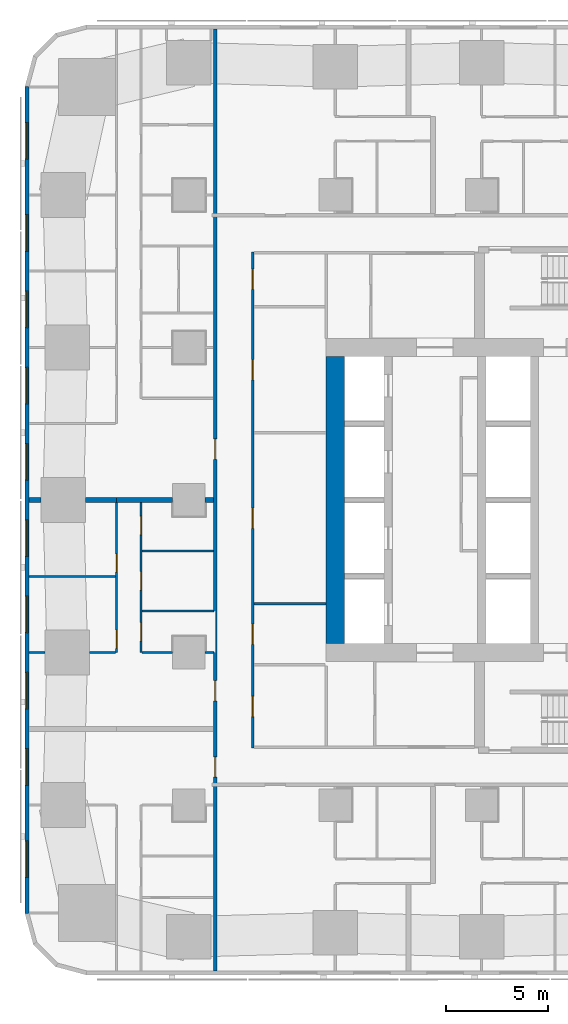
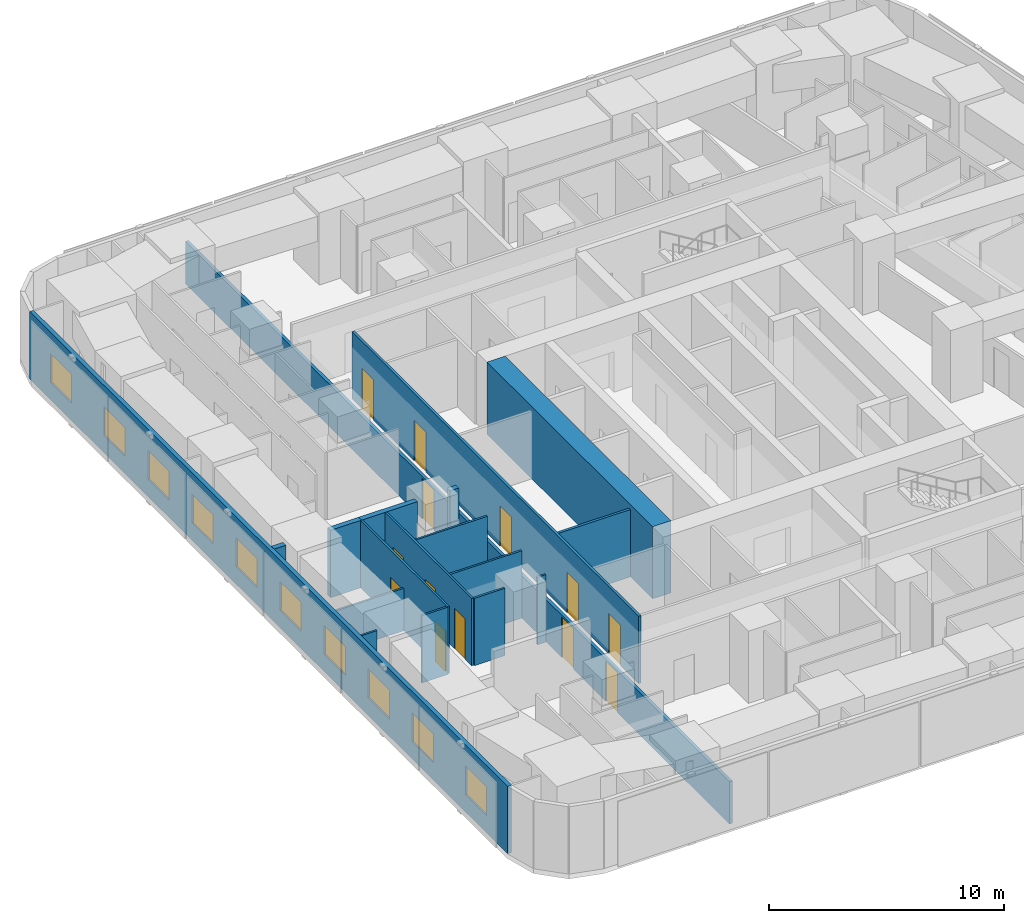
# One storey, part 5 of 17: 18 walls, 13 doors, 10 windows, 23 openings.
"""IFC4 building model written with IfcOpenShell, lengths in metres."""

from ifc_helpers import new_model, si_unit, direction, frame, frame_2d, origin, place, context, subcontext, project, spatial, rectangle, extrude, material, layer, layer_set, type_object, element, fill, save


model = new_model("IFC4")

# Units and contexts
model_context = context("Model", 3, precision=1e-05, world=origin(), true_north=direction((0.0, 1.0)))
body_context = subcontext(model_context, "Body", "Model", "MODEL_VIEW")
ifc_project = project(units=[si_unit("LENGTHUNIT", "METRE"), si_unit("AREAUNIT", "SQUARE_METRE"), si_unit("VOLUMEUNIT", "CUBIC_METRE"), si_unit("PLANEANGLEUNIT", "RADIAN"), si_unit("MASSUNIT", "GRAM", prefix="KILO")], contexts=[model_context])

# Site, building, storey
site_placement = place(None, origin())
site = spatial("IfcSite", under=ifc_project, at=site_placement, CompositionType="ELEMENT")
building_placement = place(site_placement, origin())
building = spatial("IfcBuilding", under=site, at=building_placement, Name="Sheger Commons Tower", CompositionType="ELEMENT")
storey_placement = place(building_placement, frame((0.0, 0.0, 111.64990234375)))
storey = spatial("IfcBuildingStorey", under=building, at=storey_placement, Name="L28", CompositionType="ELEMENT", Elevation=111.64990234375)

# Wall
ifc_material_1 = material(Name="Concrete C50/60", Category="concrete")
ifc_layer_1 = layer(ifc_material_1, 0.89990234375)
ifc_layer_set_1 = layer_set([ifc_layer_1], Name="CORE WALL 900")
wall_type_1 = type_object("IfcWallType", Name="CORE WALL 900", PredefinedType="SHEAR", material=ifc_layer_set_1)
wall_1_placement = place(storey_placement, frame((14.39990234375, 15.449951171875, 0.0), z_axis=(0.0, 0.0, 1.0), x_axis=(0.0, 1.0, 0.0)))
element("IfcWall", 1, at=wall_1_placement, inside=storey, type_object=wall_type_1, Name="Core wall west L28", PredefinedType="SHEAR", context=body_context, shape_type="SweptSolid", body=[
    extrude(rectangle(XDim=14.10009765625, YDim=0.89990234375, at=frame_2d((7.050048828125, 0.0))), origin(), (0.0, 0.0, 1.0), 3.75),
])

# Wall, openings, doors
ifc_material_2 = material(Name="Hollow concrete block masonry, skimmed both sides", Category="masonry")
ifc_layer_2 = layer(ifc_material_2, 0.14990234375)
ifc_layer_set_2 = layer_set([ifc_layer_2], Name="CORRIDOR WALL 150")
wall_type_2 = type_object("IfcWallType", Name="CORRIDOR WALL 150", PredefinedType="SOLIDWALL", material=ifc_layer_set_2)
wall_2_placement = place(storey_placement, frame((8.5, -0.64990234375, 0.0), z_axis=(0.0, 0.0, 1.0), x_axis=(0.0, 1.0, 0.0)))
wall_2 = element("IfcWall", 2, at=wall_2_placement, inside=storey, type_object=wall_type_2, Name="Corridor wall L28", PredefinedType="SOLIDWALL", context=body_context, shape_type="SweptSolid", body=[
    extrude(rectangle(XDim=46.2998046875, YDim=0.14990234375, at=frame_2d((23.14990234375, 0.0))), origin(), (0.0, 0.0, 1.0), 2.2001953125),
])
opening_1_placement = place(wall_2_placement, frame((9.52490234375, 0.0, 0.0)))
opening_1 = element("IfcOpeningElement", 3, at=opening_1_placement, cuts=wall_2, Name="Opening D1", PredefinedType="OPENING", context=body_context, shape_type="SweptSolid", body=[
    extrude(rectangle(XDim=1.0, YDim=2.10009765625, at=frame_2d((0.5, 1.050048828125))), frame((0.0, 0.0849609375, 0.0), z_axis=(0.0, -1.0, 0.0), x_axis=(1.0, 0.0, 0.0)), (0.0, 0.0, 1.0), 0.169921875),
])
opening_2_placement = place(wall_2_placement, frame((13.27490234375, 0.0, 0.0)))
opening_2 = element("IfcOpeningElement", 4, at=opening_2_placement, cuts=wall_2, Name="Opening D1", PredefinedType="OPENING", context=body_context, shape_type="SweptSolid", body=[
    extrude(rectangle(XDim=1.0, YDim=2.10009765625, at=frame_2d((0.5, 1.050048828125))), frame((0.0, 0.0849609375, 0.0), z_axis=(0.0, -1.0, 0.0), x_axis=(1.0, 0.0, 0.0)), (0.0, 0.0, 1.0), 0.169921875),
])
opening_3_placement = place(wall_2_placement, frame((25.14990234375, 0.0, 0.0)))
opening_3 = element("IfcOpeningElement", 5, at=opening_3_placement, cuts=wall_2, Name="Opening D1", PredefinedType="OPENING", context=body_context, shape_type="SweptSolid", body=[
    extrude(rectangle(XDim=1.0, YDim=2.10009765625, at=frame_2d((0.5, 1.050048828125))), frame((0.0, 0.0849609375, 0.0), z_axis=(0.0, -1.0, 0.0), x_axis=(1.0, 0.0, 0.0)), (0.0, 0.0, 1.0), 0.169921875),
])
ifc_material_3 = material(Name="Steel door set, fire rated", Category="steel")
door_type_1 = type_object("IfcDoorType", Name="FLAT ENTRANCE DOOR 1000x2100", OperationType="NOTDEFINED", PredefinedType="DOOR", material=ifc_material_3)
door_1_placement = place(opening_1_placement, origin())
door_1 = element("IfcDoor", 6, at=door_1_placement, inside=storey, type_object=door_type_1, Name="Flat entrance door", OperationType="SINGLE_SWING_LEFT", OverallHeight=2.10009765625, OverallWidth=1.0, PredefinedType="DOOR", context=body_context, shape_type="SweptSolid", body=[
    extrude(rectangle(XDim=1.0, YDim=2.10009765625, at=frame_2d((0.5, 1.050048828125))), frame((0.0, 0.02490234375, 0.0), z_axis=(0.0, -1.0, 0.0), x_axis=(1.0, 0.0, 0.0)), (0.0, 0.0, 1.0), 0.050048828125),
])
fill(opening_1, door_1)
door_2_placement = place(opening_2_placement, origin())
door_2 = element("IfcDoor", 7, at=door_2_placement, inside=storey, type_object=door_type_1, Name="Flat entrance door", OperationType="SINGLE_SWING_RIGHT", OverallHeight=2.10009765625, OverallWidth=1.0, PredefinedType="DOOR", context=body_context, shape_type="SweptSolid", body=[
    extrude(rectangle(XDim=1.0, YDim=2.10009765625, at=frame_2d((0.5, 1.050048828125))), frame((0.0, 0.02490234375, 0.0), z_axis=(0.0, -1.0, 0.0), x_axis=(1.0, 0.0, 0.0)), (0.0, 0.0, 1.0), 0.050048828125),
])
fill(opening_2, door_2)
door_3_placement = place(opening_3_placement, origin())
door_3 = element("IfcDoor", 8, at=door_3_placement, inside=storey, type_object=door_type_1, Name="Flat entrance door", OperationType="SINGLE_SWING_LEFT", OverallHeight=2.10009765625, OverallWidth=1.0, PredefinedType="DOOR", context=body_context, shape_type="SweptSolid", body=[
    extrude(rectangle(XDim=1.0, YDim=2.10009765625, at=frame_2d((0.5, 1.050048828125))), frame((0.0, 0.02490234375, 0.0), z_axis=(0.0, -1.0, 0.0), x_axis=(1.0, 0.0, 0.0)), (0.0, 0.0, 1.0), 0.050048828125),
])
fill(opening_3, door_3)

# Walls
ifc_material_4 = material(Name="Dense concrete block masonry, plastered both sides (separating wall between flats)", Category="masonry")
ifc_layer_3 = layer(ifc_material_4, 0.25)
ifc_layer_set_3 = layer_set([ifc_layer_3], Name="DEMISING WALL 250")
wall_type_3 = type_object("IfcWallType", Name="DEMISING WALL 250", PredefinedType="SOLIDWALL", material=ifc_layer_set_3)
wall_3_placement = place(storey_placement, frame((-0.64990234375, 22.5, 0.0), z_axis=(0.0, 0.0, 1.0), x_axis=(1.0, 0.0, 0.0)))
element("IfcWall", 9, at=wall_3_placement, inside=storey, type_object=wall_type_3, Name="Demising wall L28", PredefinedType="SOLIDWALL", context=body_context, shape_type="SweptSolid", body=[
    extrude(rectangle(XDim=0.573974609375, YDim=0.25, at=frame_2d((0.287109375, 0.0))), origin(), (0.0, 0.0, 1.0), 3.5),
])
wall_4_placement = place(storey_placement, frame((2.1259765625, 22.5, 0.0), z_axis=(0.0, 0.0, 1.0), x_axis=(1.0, 0.0, 0.0)))
element("IfcWall", 10, at=wall_4_placement, inside=storey, type_object=wall_type_3, Name="Demising wall L28", PredefinedType="SOLIDWALL", context=body_context, shape_type="SweptSolid", body=[
    extrude(rectangle(XDim=1.52392578125, YDim=0.25, at=frame_2d((0.761962890625, 0.0))), origin(), (0.0, 0.0, 1.0), 3.5),
])
wall_5_placement = place(storey_placement, frame((3.64990234375, 22.5, 0.0), z_axis=(0.0, 0.0, 1.0), x_axis=(1.0, 0.0, 0.0)))
element("IfcWall", 11, at=wall_5_placement, inside=storey, type_object=wall_type_3, Name="Demising wall L28", PredefinedType="SOLIDWALL", context=body_context, shape_type="SweptSolid", body=[
    extrude(rectangle(XDim=2.7490234375, YDim=0.25, at=frame_2d((1.37451171875, 0.0))), origin(), (0.0, 0.0, 1.0), 3.5),
])
wall_6_placement = place(storey_placement, frame((8.0009765625, 22.5, 0.0), z_axis=(0.0, 0.0, 1.0), x_axis=(1.0, 0.0, 0.0)))
element("IfcWall", 12, at=wall_6_placement, inside=storey, type_object=wall_type_3, Name="Demising wall L28", PredefinedType="SOLIDWALL", context=body_context, shape_type="SweptSolid", body=[
    extrude(rectangle(XDim=0.424072265625, YDim=0.25, at=frame_2d((0.2119140625, 0.0))), origin(), (0.0, 0.0, 1.0), 3.5),
])

# Wall, openings, windows
ifc_material_5 = material(Name="Rendered concrete block masonry, dark grey", Category="masonry")
ifc_layer_4 = layer(ifc_material_5, 0.199951171875)
ifc_layer_set_4 = layer_set([ifc_layer_4], Name="FACADE WALL 200")
wall_type_4 = type_object("IfcWallType", Name="FACADE WALL 200", PredefinedType="SOLIDWALL", material=ifc_layer_set_4)
wall_7_placement = place(storey_placement, frame((-0.75, 42.8369140625, 0.0), z_axis=(0.0, 0.0, 1.0), x_axis=(0.0, -1.0, 0.0)))
wall_7 = element("IfcWall", 13, at=wall_7_placement, inside=storey, type_object=wall_type_4, Name="Facade wall L28", PredefinedType="SOLIDWALL", context=body_context, shape_type="SweptSolid", body=[
    extrude(rectangle(XDim=40.673828125, YDim=0.199951171875, at=frame_2d((20.3369140625, 0.0))), origin(), (0.0, 0.0, 1.0), 3.5),
])
opening_4_placement = place(wall_7_placement, frame((1.780029296875, 0.0, 0.89990234375)))
opening_4 = element("IfcOpeningElement", 14, at=opening_4_placement, cuts=wall_7, Name="Opening W2", PredefinedType="OPENING", context=body_context, shape_type="SweptSolid", body=[
    extrude(rectangle(XDim=1.800048828125, YDim=1.5, at=frame_2d((0.89990234375, 0.75))), frame((0.0, 0.10986328125, 0.0), z_axis=(0.0, -1.0, 0.0), x_axis=(1.0, 0.0, 0.0)), (0.0, 0.0, 1.0), 0.219970703125),
])
opening_5_placement = place(wall_7_placement, frame((6.31201171875, 0.0, 0.89990234375)))
opening_5 = element("IfcOpeningElement", 15, at=opening_5_placement, cuts=wall_7, Name="Opening W2", PredefinedType="OPENING", context=body_context, shape_type="SweptSolid", body=[
    extrude(rectangle(XDim=1.800048828125, YDim=1.5, at=frame_2d((0.89990234375, 0.75))), frame((0.0, 0.10986328125, 0.0), z_axis=(0.0, -1.0, 0.0), x_axis=(1.0, 0.0, 0.0)), (0.0, 0.0, 1.0), 0.219970703125),
])
opening_6_placement = place(wall_7_placement, frame((10.06201171875, 0.0, 0.89990234375)))
opening_6 = element("IfcOpeningElement", 16, at=opening_6_placement, cuts=wall_7, Name="Opening W2", PredefinedType="OPENING", context=body_context, shape_type="SweptSolid", body=[
    extrude(rectangle(XDim=1.800048828125, YDim=1.5, at=frame_2d((0.89990234375, 0.75))), frame((0.0, 0.10986328125, 0.0), z_axis=(0.0, -1.0, 0.0), x_axis=(1.0, 0.0, 0.0)), (0.0, 0.0, 1.0), 0.219970703125),
])
opening_7_placement = place(wall_7_placement, frame((13.81201171875, 0.0, 0.89990234375)))
opening_7 = element("IfcOpeningElement", 17, at=opening_7_placement, cuts=wall_7, Name="Opening W2", PredefinedType="OPENING", context=body_context, shape_type="SweptSolid", body=[
    extrude(rectangle(XDim=1.800048828125, YDim=1.5, at=frame_2d((0.89990234375, 0.75))), frame((0.0, 0.10986328125, 0.0), z_axis=(0.0, -1.0, 0.0), x_axis=(1.0, 0.0, 0.0)), (0.0, 0.0, 1.0), 0.219970703125),
])
opening_8_placement = place(wall_7_placement, frame((17.56201171875, 0.0, 0.89990234375)))
opening_8 = element("IfcOpeningElement", 18, at=opening_8_placement, cuts=wall_7, Name="Opening W2", PredefinedType="OPENING", context=body_context, shape_type="SweptSolid", body=[
    extrude(rectangle(XDim=1.800048828125, YDim=1.5, at=frame_2d((0.89990234375, 0.75))), frame((0.0, 0.10986328125, 0.0), z_axis=(0.0, -1.0, 0.0), x_axis=(1.0, 0.0, 0.0)), (0.0, 0.0, 1.0), 0.219970703125),
])
opening_9_placement = place(wall_7_placement, frame((21.31201171875, 0.0, 0.89990234375)))
opening_9 = element("IfcOpeningElement", 19, at=opening_9_placement, cuts=wall_7, Name="Opening W2", PredefinedType="OPENING", context=body_context, shape_type="SweptSolid", body=[
    extrude(rectangle(XDim=1.800048828125, YDim=1.5, at=frame_2d((0.89990234375, 0.75))), frame((0.0, 0.10986328125, 0.0), z_axis=(0.0, -1.0, 0.0), x_axis=(1.0, 0.0, 0.0)), (0.0, 0.0, 1.0), 0.219970703125),
])
opening_10_placement = place(wall_7_placement, frame((25.06201171875, 0.0, 0.89990234375)))
opening_10 = element("IfcOpeningElement", 20, at=opening_10_placement, cuts=wall_7, Name="Opening W2", PredefinedType="OPENING", context=body_context, shape_type="SweptSolid", body=[
    extrude(rectangle(XDim=1.800048828125, YDim=1.5, at=frame_2d((0.89990234375, 0.75))), frame((0.0, 0.10986328125, 0.0), z_axis=(0.0, -1.0, 0.0), x_axis=(1.0, 0.0, 0.0)), (0.0, 0.0, 1.0), 0.219970703125),
])
opening_11_placement = place(wall_7_placement, frame((28.81201171875, 0.0, 0.89990234375)))
opening_11 = element("IfcOpeningElement", 21, at=opening_11_placement, cuts=wall_7, Name="Opening W2", PredefinedType="OPENING", context=body_context, shape_type="SweptSolid", body=[
    extrude(rectangle(XDim=1.800048828125, YDim=1.5, at=frame_2d((0.89990234375, 0.75))), frame((0.0, 0.10986328125, 0.0), z_axis=(0.0, -1.0, 0.0), x_axis=(1.0, 0.0, 0.0)), (0.0, 0.0, 1.0), 0.219970703125),
])
opening_12_placement = place(wall_7_placement, frame((32.56201171875, 0.0, 0.89990234375)))
opening_12 = element("IfcOpeningElement", 22, at=opening_12_placement, cuts=wall_7, Name="Opening W2", PredefinedType="OPENING", context=body_context, shape_type="SweptSolid", body=[
    extrude(rectangle(XDim=1.800048828125, YDim=1.5, at=frame_2d((0.89990234375, 0.75))), frame((0.0, 0.10986328125, 0.0), z_axis=(0.0, -1.0, 0.0), x_axis=(1.0, 0.0, 0.0)), (0.0, 0.0, 1.0), 0.219970703125),
])
opening_13_placement = place(wall_7_placement, frame((37.093994140625, 0.0, 0.89990234375)))
opening_13 = element("IfcOpeningElement", 23, at=opening_13_placement, cuts=wall_7, Name="Opening W2", PredefinedType="OPENING", context=body_context, shape_type="SweptSolid", body=[
    extrude(rectangle(XDim=1.800048828125, YDim=1.5, at=frame_2d((0.89990234375, 0.75))), frame((0.0, 0.10986328125, 0.0), z_axis=(0.0, -1.0, 0.0), x_axis=(1.0, 0.0, 0.0)), (0.0, 0.0, 1.0), 0.219970703125),
])
ifc_material_6 = material(Name="Black aluminium frame, dark tinted double glazing", Category="aluminium")
window_type = type_object("IfcWindowType", Name="WINDOW W2 1800x1500", PartitioningType="SINGLE_PANEL", PredefinedType="WINDOW", material=ifc_material_6)
window_1_placement = place(opening_4_placement, origin())
window_1 = element("IfcWindow", 24, at=window_1_placement, inside=storey, type_object=window_type, Name="Window W2 1800X1500", OverallHeight=1.5, OverallWidth=1.800048828125, PartitioningType="SINGLE_PANEL", PredefinedType="WINDOW", context=body_context, shape_type="SweptSolid", body=[
    extrude(rectangle(XDim=1.800048828125, YDim=1.5, at=frame_2d((0.89990234375, 0.75))), frame((0.0, 0.030029296875, 0.0), z_axis=(0.0, -1.0, 0.0), x_axis=(1.0, 0.0, 0.0)), (0.0, 0.0, 1.0), 0.06005859375),
])
fill(opening_4, window_1)
window_2_placement = place(opening_5_placement, origin())
window_2 = element("IfcWindow", 25, at=window_2_placement, inside=storey, type_object=window_type, Name="Window W2 1800X1500", OverallHeight=1.5, OverallWidth=1.800048828125, PartitioningType="SINGLE_PANEL", PredefinedType="WINDOW", context=body_context, shape_type="SweptSolid", body=[
    extrude(rectangle(XDim=1.800048828125, YDim=1.5, at=frame_2d((0.89990234375, 0.75))), frame((0.0, 0.030029296875, 0.0), z_axis=(0.0, -1.0, 0.0), x_axis=(1.0, 0.0, 0.0)), (0.0, 0.0, 1.0), 0.06005859375),
])
fill(opening_5, window_2)
window_3_placement = place(opening_6_placement, origin())
window_3 = element("IfcWindow", 26, at=window_3_placement, inside=storey, type_object=window_type, Name="Window W2 1800X1500", OverallHeight=1.5, OverallWidth=1.800048828125, PartitioningType="SINGLE_PANEL", PredefinedType="WINDOW", context=body_context, shape_type="SweptSolid", body=[
    extrude(rectangle(XDim=1.800048828125, YDim=1.5, at=frame_2d((0.89990234375, 0.75))), frame((0.0, 0.030029296875, 0.0), z_axis=(0.0, -1.0, 0.0), x_axis=(1.0, 0.0, 0.0)), (0.0, 0.0, 1.0), 0.06005859375),
])
fill(opening_6, window_3)
window_4_placement = place(opening_7_placement, origin())
window_4 = element("IfcWindow", 27, at=window_4_placement, inside=storey, type_object=window_type, Name="Window W2 1800X1500", OverallHeight=1.5, OverallWidth=1.800048828125, PartitioningType="SINGLE_PANEL", PredefinedType="WINDOW", context=body_context, shape_type="SweptSolid", body=[
    extrude(rectangle(XDim=1.800048828125, YDim=1.5, at=frame_2d((0.89990234375, 0.75))), frame((0.0, 0.030029296875, 0.0), z_axis=(0.0, -1.0, 0.0), x_axis=(1.0, 0.0, 0.0)), (0.0, 0.0, 1.0), 0.06005859375),
])
fill(opening_7, window_4)
window_5_placement = place(opening_8_placement, origin())
window_5 = element("IfcWindow", 28, at=window_5_placement, inside=storey, type_object=window_type, Name="Window W2 1800X1500", OverallHeight=1.5, OverallWidth=1.800048828125, PartitioningType="SINGLE_PANEL", PredefinedType="WINDOW", context=body_context, shape_type="SweptSolid", body=[
    extrude(rectangle(XDim=1.800048828125, YDim=1.5, at=frame_2d((0.89990234375, 0.75))), frame((0.0, 0.030029296875, 0.0), z_axis=(0.0, -1.0, 0.0), x_axis=(1.0, 0.0, 0.0)), (0.0, 0.0, 1.0), 0.06005859375),
])
fill(opening_8, window_5)
window_6_placement = place(opening_9_placement, origin())
window_6 = element("IfcWindow", 29, at=window_6_placement, inside=storey, type_object=window_type, Name="Window W2 1800X1500", OverallHeight=1.5, OverallWidth=1.800048828125, PartitioningType="SINGLE_PANEL", PredefinedType="WINDOW", context=body_context, shape_type="SweptSolid", body=[
    extrude(rectangle(XDim=1.800048828125, YDim=1.5, at=frame_2d((0.89990234375, 0.75))), frame((0.0, 0.030029296875, 0.0), z_axis=(0.0, -1.0, 0.0), x_axis=(1.0, 0.0, 0.0)), (0.0, 0.0, 1.0), 0.06005859375),
])
fill(opening_9, window_6)
window_7_placement = place(opening_10_placement, origin())
window_7 = element("IfcWindow", 30, at=window_7_placement, inside=storey, type_object=window_type, Name="Window W2 1800X1500", OverallHeight=1.5, OverallWidth=1.800048828125, PartitioningType="SINGLE_PANEL", PredefinedType="WINDOW", context=body_context, shape_type="SweptSolid", body=[
    extrude(rectangle(XDim=1.800048828125, YDim=1.5, at=frame_2d((0.89990234375, 0.75))), frame((0.0, 0.030029296875, 0.0), z_axis=(0.0, -1.0, 0.0), x_axis=(1.0, 0.0, 0.0)), (0.0, 0.0, 1.0), 0.06005859375),
])
fill(opening_10, window_7)
window_8_placement = place(opening_11_placement, origin())
window_8 = element("IfcWindow", 31, at=window_8_placement, inside=storey, type_object=window_type, Name="Window W2 1800X1500", OverallHeight=1.5, OverallWidth=1.800048828125, PartitioningType="SINGLE_PANEL", PredefinedType="WINDOW", context=body_context, shape_type="SweptSolid", body=[
    extrude(rectangle(XDim=1.800048828125, YDim=1.5, at=frame_2d((0.89990234375, 0.75))), frame((0.0, 0.030029296875, 0.0), z_axis=(0.0, -1.0, 0.0), x_axis=(1.0, 0.0, 0.0)), (0.0, 0.0, 1.0), 0.06005859375),
])
fill(opening_11, window_8)
window_9_placement = place(opening_12_placement, origin())
window_9 = element("IfcWindow", 32, at=window_9_placement, inside=storey, type_object=window_type, Name="Window W2 1800X1500", OverallHeight=1.5, OverallWidth=1.800048828125, PartitioningType="SINGLE_PANEL", PredefinedType="WINDOW", context=body_context, shape_type="SweptSolid", body=[
    extrude(rectangle(XDim=1.800048828125, YDim=1.5, at=frame_2d((0.89990234375, 0.75))), frame((0.0, 0.030029296875, 0.0), z_axis=(0.0, -1.0, 0.0), x_axis=(1.0, 0.0, 0.0)), (0.0, 0.0, 1.0), 0.06005859375),
])
fill(opening_12, window_9)
window_10_placement = place(opening_13_placement, origin())
window_10 = element("IfcWindow", 33, at=window_10_placement, inside=storey, type_object=window_type, Name="Window W2 1800X1500", OverallHeight=1.5, OverallWidth=1.800048828125, PartitioningType="SINGLE_PANEL", PredefinedType="WINDOW", context=body_context, shape_type="SweptSolid", body=[
    extrude(rectangle(XDim=1.800048828125, YDim=1.5, at=frame_2d((0.89990234375, 0.75))), frame((0.0, 0.030029296875, 0.0), z_axis=(0.0, -1.0, 0.0), x_axis=(1.0, 0.0, 0.0)), (0.0, 0.0, 1.0), 0.06005859375),
])
fill(opening_13, window_10)

# Wall, openings, doors
ifc_material_7 = material(Name="Gypsum board on steel studs", Category="steel")
ifc_layer_5 = layer(ifc_material_7, 0.10009765625)
ifc_layer_set_5 = layer_set([ifc_layer_5], Name="PARTITION 100")
wall_type_5 = type_object("IfcWallType", Name="PARTITION 100", PredefinedType="PARTITIONING", material=ifc_layer_set_5)
wall_8_placement = place(storey_placement, frame((3.64990234375, 15.0, 0.0), z_axis=(0.0, 0.0, 1.0), x_axis=(0.0, 1.0, 0.0)))
wall_8 = element("IfcWall", 34, at=wall_8_placement, inside=storey, type_object=wall_type_5, Name="Partition L28", PredefinedType="PARTITIONING", context=body_context, shape_type="SweptSolid", body=[
    extrude(rectangle(XDim=7.375, YDim=0.10009765625, at=frame_2d((3.6875, 0.0))), origin(), (0.0, 0.0, 1.0), 3.5),
])
opening_14_placement = place(wall_8_placement, frame((0.199951171875, 0.0, 0.0)))
opening_14 = element("IfcOpeningElement", 35, at=opening_14_placement, cuts=wall_8, Name="Opening D2", PredefinedType="OPENING", context=body_context, shape_type="SweptSolid", body=[
    extrude(rectangle(XDim=0.89990234375, YDim=2.10009765625, at=frame_2d((0.449951171875, 1.050048828125))), frame((0.0, 0.06005859375, 0.0), z_axis=(0.0, -1.0, 0.0), x_axis=(1.0, 0.0, 0.0)), (0.0, 0.0, 1.0), 0.1201171875),
])
opening_15_placement = place(wall_8_placement, frame((3.949951171875, 0.0, 0.0)))
opening_15 = element("IfcOpeningElement", 36, at=opening_15_placement, cuts=wall_8, Name="Opening D2", PredefinedType="OPENING", context=body_context, shape_type="SweptSolid", body=[
    extrude(rectangle(XDim=0.89990234375, YDim=2.10009765625, at=frame_2d((0.449951171875, 1.050048828125))), frame((0.0, 0.06005859375, 0.0), z_axis=(0.0, -1.0, 0.0), x_axis=(1.0, 0.0, 0.0)), (0.0, 0.0, 1.0), 0.1201171875),
])
ifc_material_8 = material(Name="Timber door set", Category="wood")
door_type_2 = type_object("IfcDoorType", Name="INTERNAL DOOR 900x2100", OperationType="NOTDEFINED", PredefinedType="DOOR", material=ifc_material_8)
door_4_placement = place(opening_14_placement, origin())
door_4 = element("IfcDoor", 37, at=door_4_placement, inside=storey, type_object=door_type_2, Name="Main bedroom door", OperationType="SINGLE_SWING_LEFT", OverallHeight=2.10009765625, OverallWidth=0.89990234375, PredefinedType="DOOR", context=body_context, shape_type="SweptSolid", body=[
    extrude(rectangle(XDim=0.89990234375, YDim=2.10009765625, at=frame_2d((0.449951171875, 1.050048828125))), frame((0.0, 0.02490234375, 0.0), z_axis=(0.0, -1.0, 0.0), x_axis=(1.0, 0.0, 0.0)), (0.0, 0.0, 1.0), 0.050048828125),
])
fill(opening_14, door_4)
door_5_placement = place(opening_15_placement, origin())
door_5 = element("IfcDoor", 38, at=door_5_placement, inside=storey, type_object=door_type_2, Name="Bedroom 2 door", OperationType="SINGLE_SWING_LEFT", OverallHeight=2.10009765625, OverallWidth=0.89990234375, PredefinedType="DOOR", context=body_context, shape_type="SweptSolid", body=[
    extrude(rectangle(XDim=0.89990234375, YDim=2.10009765625, at=frame_2d((0.449951171875, 1.050048828125))), frame((0.0, 0.02490234375, 0.0), z_axis=(0.0, -1.0, 0.0), x_axis=(1.0, 0.0, 0.0)), (0.0, 0.0, 1.0), 0.050048828125),
])
fill(opening_15, door_5)

wall_9_placement = place(storey_placement, frame((4.85009765625, 15.0, 0.0), z_axis=(0.0, 0.0, 1.0), x_axis=(0.0, 1.0, 0.0)))
wall_9 = element("IfcWall", 39, at=wall_9_placement, inside=storey, type_object=wall_type_5, Name="Partition L28", PredefinedType="PARTITIONING", context=body_context, shape_type="SweptSolid", body=[
    extrude(rectangle(XDim=7.375, YDim=0.10009765625, at=frame_2d((3.6875, 0.0))), origin(), (0.0, 0.0, 1.0), 3.5),
])
opening_16_placement = place(wall_9_placement, frame((0.574951171875, 0.0, 0.0)))
opening_16 = element("IfcOpeningElement", 40, at=opening_16_placement, cuts=wall_9, Name="Opening D2", PredefinedType="OPENING", context=body_context, shape_type="SweptSolid", body=[
    extrude(rectangle(XDim=0.89990234375, YDim=2.10009765625, at=frame_2d((0.449951171875, 1.050048828125))), frame((0.0, 0.06005859375, 0.0), z_axis=(0.0, -1.0, 0.0), x_axis=(1.0, 0.0, 0.0)), (0.0, 0.0, 1.0), 0.1201171875),
])
opening_17_placement = place(wall_9_placement, frame((5.799072265625, 0.0, 0.0)))
opening_17 = element("IfcOpeningElement", 41, at=opening_17_placement, cuts=wall_9, Name="Opening D2", PredefinedType="OPENING", context=body_context, shape_type="SweptSolid", body=[
    extrude(rectangle(XDim=0.89990234375, YDim=2.10009765625, at=frame_2d((0.449951171875, 1.050048828125))), frame((0.0, 0.06005859375, 0.0), z_axis=(0.0, -1.0, 0.0), x_axis=(1.0, 0.0, 0.0)), (0.0, 0.0, 1.0), 0.1201171875),
])
opening_18_placement = place(wall_9_placement, frame((3.073974609375, 0.0, 0.0)))
opening_18 = element("IfcOpeningElement", 42, at=opening_18_placement, cuts=wall_9, Name="Opening D2", PredefinedType="OPENING", context=body_context, shape_type="SweptSolid", body=[
    extrude(rectangle(XDim=0.89990234375, YDim=2.10009765625, at=frame_2d((0.449951171875, 1.050048828125))), frame((0.0, 0.06005859375, 0.0), z_axis=(0.0, -1.0, 0.0), x_axis=(1.0, 0.0, 0.0)), (0.0, 0.0, 1.0), 0.1201171875),
])
door_6_placement = place(opening_16_placement, origin())
door_6 = element("IfcDoor", 43, at=door_6_placement, inside=storey, type_object=door_type_2, Name="Bathroom door", OperationType="SINGLE_SWING_RIGHT", OverallHeight=2.10009765625, OverallWidth=0.89990234375, PredefinedType="DOOR", context=body_context, shape_type="SweptSolid", body=[
    extrude(rectangle(XDim=0.89990234375, YDim=2.10009765625, at=frame_2d((0.449951171875, 1.050048828125))), frame((0.0, 0.02490234375, 0.0), z_axis=(0.0, -1.0, 0.0), x_axis=(1.0, 0.0, 0.0)), (0.0, 0.0, 1.0), 0.050048828125),
])
fill(opening_16, door_6)
door_7_placement = place(opening_17_placement, origin())
door_7 = element("IfcDoor", 44, at=door_7_placement, inside=storey, type_object=door_type_2, Name="Store and laundry door", OperationType="SINGLE_SWING_LEFT", OverallHeight=2.10009765625, OverallWidth=0.89990234375, PredefinedType="DOOR", context=body_context, shape_type="SweptSolid", body=[
    extrude(rectangle(XDim=0.89990234375, YDim=2.10009765625, at=frame_2d((0.449951171875, 1.050048828125))), frame((0.0, 0.02490234375, 0.0), z_axis=(0.0, -1.0, 0.0), x_axis=(1.0, 0.0, 0.0)), (0.0, 0.0, 1.0), 0.050048828125),
])
fill(opening_17, door_7)
door_8_placement = place(opening_18_placement, origin())
door_8 = element("IfcDoor", 45, at=door_8_placement, inside=storey, type_object=door_type_2, Name="Store door", OperationType="SINGLE_SWING_LEFT", OverallHeight=2.10009765625, OverallWidth=0.89990234375, PredefinedType="DOOR", context=body_context, shape_type="SweptSolid", body=[
    extrude(rectangle(XDim=0.89990234375, YDim=2.10009765625, at=frame_2d((0.449951171875, 1.050048828125))), frame((0.0, 0.02490234375, 0.0), z_axis=(0.0, -1.0, 0.0), x_axis=(1.0, 0.0, 0.0)), (0.0, 0.0, 1.0), 0.050048828125),
])
fill(opening_18, door_8)

# Walls
wall_10_placement = place(storey_placement, frame((-0.64990234375, 15.0, 0.0), z_axis=(0.0, 0.0, 1.0), x_axis=(1.0, 0.0, 0.0)))
element("IfcWall", 46, at=wall_10_placement, inside=storey, type_object=wall_type_5, Name="Partition L28", PredefinedType="PARTITIONING", context=body_context, shape_type="SweptSolid", body=[
    extrude(rectangle(XDim=0.77392578125, YDim=0.10009765625, at=frame_2d((0.386962890625, 0.0))), origin(), (0.0, 0.0, 1.0), 3.5),
])
wall_11_placement = place(storey_placement, frame((2.325927734375, 15.0, 0.0), z_axis=(0.0, 0.0, 1.0), x_axis=(1.0, 0.0, 0.0)))
element("IfcWall", 47, at=wall_11_placement, inside=storey, type_object=wall_type_5, Name="Partition L28", PredefinedType="PARTITIONING", context=body_context, shape_type="SweptSolid", body=[
    extrude(rectangle(XDim=1.274169921875, YDim=0.10009765625, at=frame_2d((0.63720703125, 0.0))), origin(), (0.0, 0.0, 1.0), 3.5),
])
wall_12_placement = place(storey_placement, frame((-0.64990234375, 18.75, 0.0), z_axis=(0.0, 0.0, 1.0), x_axis=(1.0, 0.0, 0.0)))
element("IfcWall", 48, at=wall_12_placement, inside=storey, type_object=wall_type_5, Name="Partition L28", PredefinedType="PARTITIONING", context=body_context, shape_type="SweptSolid", body=[
    extrude(rectangle(XDim=4.25, YDim=0.10009765625, at=frame_2d((2.125, 0.0))), origin(), (0.0, 0.0, 1.0), 2.2001953125),
])
wall_13_placement = place(storey_placement, frame((4.89990234375, 15.0, 0.0), z_axis=(0.0, 0.0, 1.0), x_axis=(1.0, 0.0, 0.0)))
element("IfcWall", 49, at=wall_13_placement, inside=storey, type_object=wall_type_5, Name="Partition L28", PredefinedType="PARTITIONING", context=body_context, shape_type="SweptSolid", body=[
    extrude(rectangle(XDim=1.4990234375, YDim=0.10009765625, at=frame_2d((0.74951171875, 0.0))), origin(), (0.0, 0.0, 1.0), 3.5),
])
wall_14_placement = place(storey_placement, frame((8.0009765625, 15.0, 0.0), z_axis=(0.0, 0.0, 1.0), x_axis=(1.0, 0.0, 0.0)))
element("IfcWall", 50, at=wall_14_placement, inside=storey, type_object=wall_type_5, Name="Partition L28", PredefinedType="PARTITIONING", context=body_context, shape_type="SweptSolid", body=[
    extrude(rectangle(XDim=0.424072265625, YDim=0.10009765625, at=frame_2d((0.2119140625, 0.0))), origin(), (0.0, 0.0, 1.0), 3.5),
])
for number, where, z_axis, x_axis, name in (
    (51, (4.89990234375, 19.9990234375, 0.0), (0.0, 0.0, 1.0), (1.0, 0.0, 0.0), "Partition L28"),
    (52, (4.89990234375, 17.050048828125, 0.0), (0.0, 0.0, 1.0), (1.0, 0.0, 0.0), "Partition L28"),
):
    element("IfcWall", number, at=place(storey_placement, frame(where, z_axis=z_axis, x_axis=x_axis)), inside=storey, type_object=wall_type_5, Name=name, PredefinedType="PARTITIONING", context=body_context, shape_type="SweptSolid", body=[
        extrude(rectangle(XDim=3.525146484375, YDim=0.10009765625, at=frame_2d((1.7626953125, 0.0))), origin(), (0.0, 0.0, 1.0), 3.5),
    ])

# Wall, openings, doors
ifc_material_9 = material(Name="Gypsum board on steel studs, two layers each side, fire rated", Category="steel")
ifc_layer_6 = layer(ifc_material_9, 0.125)
ifc_layer_set_6 = layer_set([ifc_layer_6], Name="SERVICE WALL 125")
wall_type_6 = type_object("IfcWallType", Name="SERVICE WALL 125", PredefinedType="PARTITIONING", material=ifc_layer_set_6)
wall_15_placement = place(storey_placement, frame((10.35009765625, 10.300048828125, 0.0), z_axis=(0.0, 0.0, 1.0), x_axis=(0.0, 1.0, 0.0)))
wall_15 = element("IfcWall", 53, at=wall_15_placement, inside=storey, type_object=wall_type_6, Name="Service room wall L28", PredefinedType="PARTITIONING", context=body_context, shape_type="SweptSolid", body=[
    extrude(rectangle(XDim=24.39990234375, YDim=0.125, at=frame_2d((12.199951171875, 0.0))), origin(), (0.0, 0.0, 1.0), 3.5),
])
opening_19_placement = place(wall_15_placement, frame((1.550048828125, 0.0, 0.0)))
opening_19 = element("IfcOpeningElement", 54, at=opening_19_placement, cuts=wall_15, Name="Opening D4", PredefinedType="OPENING", context=body_context, shape_type="SweptSolid", body=[
    extrude(rectangle(XDim=1.0, YDim=2.10009765625, at=frame_2d((0.5, 1.050048828125))), frame((0.0, 0.072509765625, 0.0), z_axis=(0.0, -1.0, 0.0), x_axis=(1.0, 0.0, 0.0)), (0.0, 0.0, 1.0), 0.14501953125),
])
opening_20_placement = place(wall_15_placement, frame((5.10009765625, 0.0, 0.0)))
opening_20 = element("IfcOpeningElement", 55, at=opening_20_placement, cuts=wall_15, Name="Opening D4", PredefinedType="OPENING", context=body_context, shape_type="SweptSolid", body=[
    extrude(rectangle(XDim=1.0, YDim=2.10009765625, at=frame_2d((0.5, 1.050048828125))), frame((0.0, 0.072509765625, 0.0), z_axis=(0.0, -1.0, 0.0), x_axis=(1.0, 0.0, 0.0)), (0.0, 0.0, 1.0), 0.14501953125),
])
opening_21_placement = place(wall_15_placement, frame((10.800048828125, 0.0, 0.0)))
opening_21 = element("IfcOpeningElement", 56, at=opening_21_placement, cuts=wall_15, Name="Opening D4", PredefinedType="OPENING", context=body_context, shape_type="SweptSolid", body=[
    extrude(rectangle(XDim=1.0, YDim=2.10009765625, at=frame_2d((0.5, 1.050048828125))), frame((0.0, 0.072509765625, 0.0), z_axis=(0.0, -1.0, 0.0), x_axis=(1.0, 0.0, 0.0)), (0.0, 0.0, 1.0), 0.14501953125),
])
opening_22_placement = place(wall_15_placement, frame((18.10009765625, 0.0, 0.0)))
opening_22 = element("IfcOpeningElement", 57, at=opening_22_placement, cuts=wall_15, Name="Opening D4", PredefinedType="OPENING", context=body_context, shape_type="SweptSolid", body=[
    extrude(rectangle(XDim=1.0, YDim=2.10009765625, at=frame_2d((0.5, 1.050048828125))), frame((0.0, 0.072509765625, 0.0), z_axis=(0.0, -1.0, 0.0), x_axis=(1.0, 0.0, 0.0)), (0.0, 0.0, 1.0), 0.14501953125),
])
opening_23_placement = place(wall_15_placement, frame((22.550048828125, 0.0, 0.0)))
opening_23 = element("IfcOpeningElement", 58, at=opening_23_placement, cuts=wall_15, Name="Opening D4", PredefinedType="OPENING", context=body_context, shape_type="SweptSolid", body=[
    extrude(rectangle(XDim=1.0, YDim=2.10009765625, at=frame_2d((0.5, 1.050048828125))), frame((0.0, 0.072509765625, 0.0), z_axis=(0.0, -1.0, 0.0), x_axis=(1.0, 0.0, 0.0)), (0.0, 0.0, 1.0), 0.14501953125),
])
ifc_material_10 = material(Name="Steel door set, fire rated", Category="steel")
door_type_3 = type_object("IfcDoorType", Name="SERVICE DOOR 1000x2100", OperationType="NOTDEFINED", PredefinedType="DOOR", material=ifc_material_10)
door_9_placement = place(opening_19_placement, origin())
door_9 = element("IfcDoor", 59, at=door_9_placement, inside=storey, type_object=door_type_3, Name="Refuse chute room door", OperationType="SINGLE_SWING_RIGHT", OverallHeight=2.10009765625, OverallWidth=1.0, PredefinedType="DOOR", context=body_context, shape_type="SweptSolid", body=[
    extrude(rectangle(XDim=1.0, YDim=2.10009765625, at=frame_2d((0.5, 1.050048828125))), frame((0.0, 0.02490234375, 0.0), z_axis=(0.0, -1.0, 0.0), x_axis=(1.0, 0.0, 0.0)), (0.0, 0.0, 1.0), 0.050048828125),
])
fill(opening_19, door_9)
door_10_placement = place(opening_20_placement, origin())
door_10 = element("IfcDoor", 60, at=door_10_placement, inside=storey, type_object=door_type_3, Name="Recycling room door", OperationType="SINGLE_SWING_LEFT", OverallHeight=2.10009765625, OverallWidth=1.0, PredefinedType="DOOR", context=body_context, shape_type="SweptSolid", body=[
    extrude(rectangle(XDim=1.0, YDim=2.10009765625, at=frame_2d((0.5, 1.050048828125))), frame((0.0, 0.02490234375, 0.0), z_axis=(0.0, -1.0, 0.0), x_axis=(1.0, 0.0, 0.0)), (0.0, 0.0, 1.0), 0.050048828125),
])
fill(opening_20, door_10)
door_11_placement = place(opening_21_placement, origin())
door_11 = element("IfcDoor", 61, at=door_11_placement, inside=storey, type_object=door_type_3, Name="Children's play room door", OperationType="SINGLE_SWING_LEFT", OverallHeight=2.10009765625, OverallWidth=1.0, PredefinedType="DOOR", context=body_context, shape_type="SweptSolid", body=[
    extrude(rectangle(XDim=1.0, YDim=2.10009765625, at=frame_2d((0.5, 1.050048828125))), frame((0.0, 0.02490234375, 0.0), z_axis=(0.0, -1.0, 0.0), x_axis=(1.0, 0.0, 0.0)), (0.0, 0.0, 1.0), 0.050048828125),
])
fill(opening_21, door_11)
door_12_placement = place(opening_22_placement, origin())
door_12 = element("IfcDoor", 62, at=door_12_placement, inside=storey, type_object=door_type_3, Name="Laundry and drying room door", OperationType="SINGLE_SWING_LEFT", OverallHeight=2.10009765625, OverallWidth=1.0, PredefinedType="DOOR", context=body_context, shape_type="SweptSolid", body=[
    extrude(rectangle(XDim=1.0, YDim=2.10009765625, at=frame_2d((0.5, 1.050048828125))), frame((0.0, 0.02490234375, 0.0), z_axis=(0.0, -1.0, 0.0), x_axis=(1.0, 0.0, 0.0)), (0.0, 0.0, 1.0), 0.050048828125),
])
fill(opening_22, door_12)
door_13_placement = place(opening_23_placement, origin())
door_13 = element("IfcDoor", 63, at=door_13_placement, inside=storey, type_object=door_type_3, Name="Cleaner's store door", OperationType="SINGLE_SWING_LEFT", OverallHeight=2.10009765625, OverallWidth=1.0, PredefinedType="DOOR", context=body_context, shape_type="SweptSolid", body=[
    extrude(rectangle(XDim=1.0, YDim=2.10009765625, at=frame_2d((0.5, 1.050048828125))), frame((0.0, 0.02490234375, 0.0), z_axis=(0.0, -1.0, 0.0), x_axis=(1.0, 0.0, 0.0)), (0.0, 0.0, 1.0), 0.050048828125),
])
fill(opening_23, door_13)

# Wall
wall_16_placement = place(storey_placement, frame((10.4130859375, 17.39990234375, 0.0), z_axis=(0.0, 0.0, 1.0), x_axis=(1.0, 0.0, 0.0)))
element("IfcWall", 64, at=wall_16_placement, inside=storey, type_object=wall_type_6, Name="Service room wall L28", PredefinedType="PARTITIONING", context=body_context, shape_type="SweptSolid", body=[
    extrude(rectangle(XDim=3.536865234375, YDim=0.125, at=frame_2d((1.7685546875, 0.0))), origin(), (0.0, 0.0, 1.0), 3.5),
])

save(model, "model.ifc")
